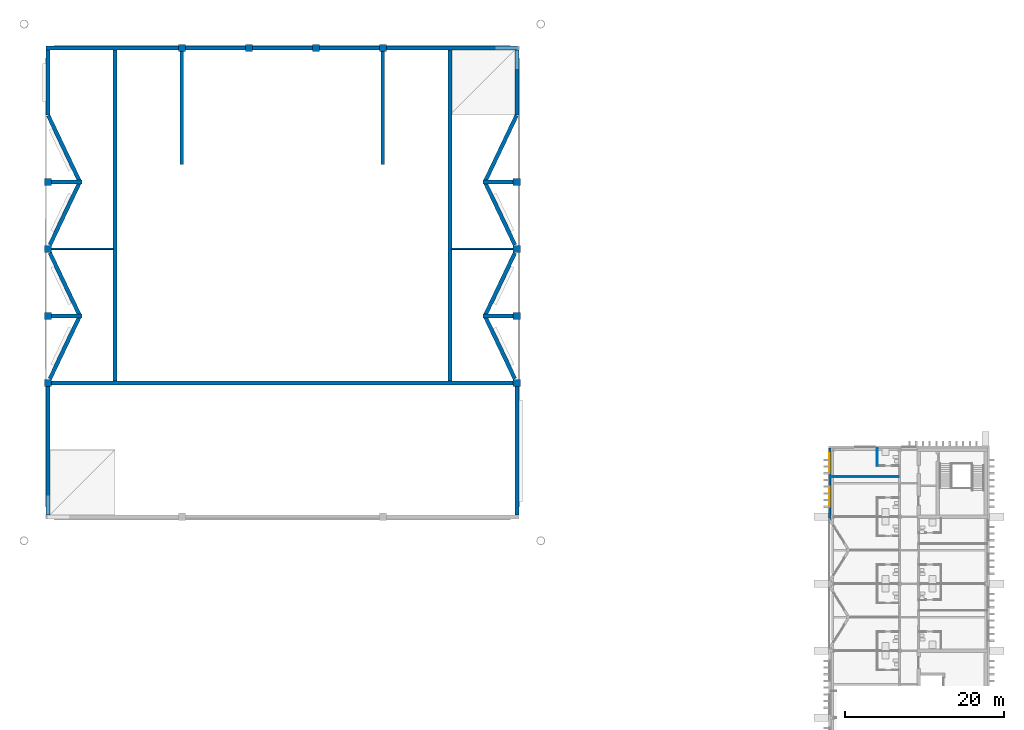
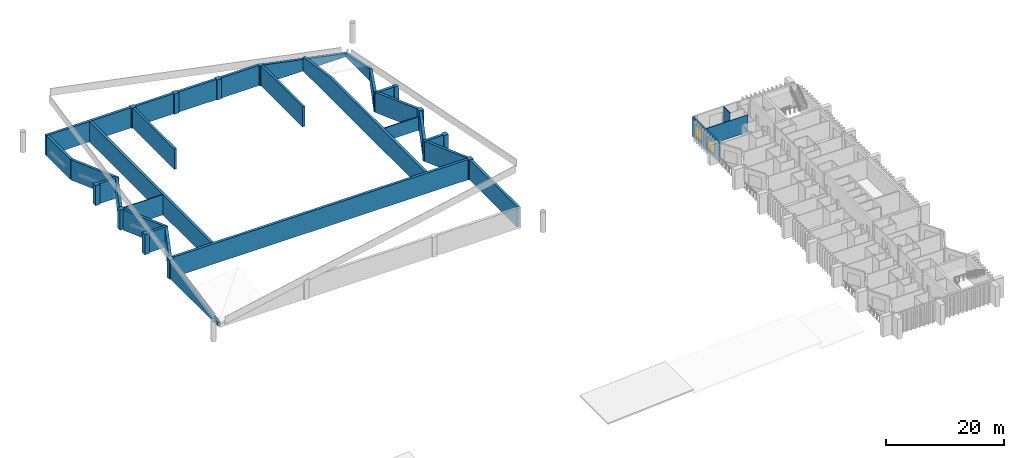
# One storey, part 15 of 21: 43 walls, 2 windows, 2 openings.
"""IFC4 building model written with IfcOpenShell, lengths in metres."""

from ifc_helpers import new_model, si_unit, direction, frame, frame_2d, origin, place, context, subcontext, project, spatial, polyline, rectangle, outline, extrude, material, layer, layer_set, type_object, element, fill, save


model = new_model("IFC4")

# Units and contexts
model_context = context("Model", 3, precision=1e-05, world=origin(), true_north=direction((0.0, 1.0)))
body_context = subcontext(model_context, "Body", "Model", "MODEL_VIEW")
ifc_project = project(units=[si_unit("LENGTHUNIT", "METRE"), si_unit("AREAUNIT", "SQUARE_METRE"), si_unit("VOLUMEUNIT", "CUBIC_METRE"), si_unit("PLANEANGLEUNIT", "RADIAN"), si_unit("MASSUNIT", "GRAM", prefix="KILO")], contexts=[model_context])

# Site, building, storey
site_placement = place(None, origin())
site = spatial("IfcSite", under=ifc_project, at=site_placement, CompositionType="ELEMENT")
building_placement = place(site_placement, origin())
building = spatial("IfcBuilding", under=site, at=building_placement, Name="Cresset Court Congress Hotel", CompositionType="ELEMENT")
storey_placement = place(building_placement, frame((0.0, 0.0, 22.800048828125)))
storey = spatial("IfcBuildingStorey", under=building, at=storey_placement, Name="L05", CompositionType="ELEMENT", Elevation=22.800048828125)

# Wall
ifc_material_1 = material(Name="Gypsum board partition")
ifc_layer_1 = layer(ifc_material_1, 0.10009765625)
ifc_layer_set_1 = layer_set([ifc_layer_1], Name="En-suite wall 100")
wall_type_1 = type_object("IfcWallType", Name="En-suite wall 100", PredefinedType="PARTITIONING", material=ifc_layer_set_1)
wall_1_placement = place(storey_placement, frame((162.800048828125, 65.199951171875, 0.0), z_axis=(0.0, 0.0, 1.0), x_axis=(0.0, 1.0, 0.0)))
element("IfcWall", 1, at=wall_1_placement, inside=storey, type_object=wall_type_1, Name="A.wl.L05.031", PredefinedType="PARTITIONING", context=body_context, shape_type="SweptSolid", body=[
    extrude(rectangle(XDim=2.219970703125, YDim=0.10009765625, at=frame_2d((1.10986328125, 0.0))), origin(), (0.0, 0.0, 1.0), 4.050048828125),
])

# Wall, openings, windows
ifc_material_2 = material(Name="Precast concrete C50", Category="concrete")
ifc_layer_2 = layer(ifc_material_2, 0.280029296875)
ifc_layer_set_2 = layer_set([ifc_layer_2], Name="External wall 280")
wall_type_2 = type_object("IfcWallType", Name="External wall 280", PredefinedType="SOLIDWALL", material=ifc_layer_set_2)
wall_2_placement = place(storey_placement, frame((156.840087890625, 58.449951171875, 0.0), z_axis=(0.0, 0.0, 1.0), x_axis=(0.0, 1.0, 0.0)))
wall_2 = element("IfcWall", 2, at=wall_2_placement, inside=storey, type_object=wall_type_2, Name="A.ew.L05.W.5", PredefinedType="SOLIDWALL", context=body_context, shape_type="SweptSolid", body=[
    extrude(rectangle(XDim=8.969970703125, YDim=0.280029296875, at=frame_2d((4.48486328125, 0.0))), origin(), (0.0, 0.0, 1.0), 4.050048828125),
])
opening_1_placement = place(wall_2_placement, frame((1.610107421875, 0.0, 0.60009765625)))
opening_1 = element("IfcOpeningElement", 3, at=opening_1_placement, cuts=wall_2, Name="Opening NA-05-15", PredefinedType="OPENING", context=body_context, shape_type="SweptSolid", body=[
    extrude(rectangle(XDim=2.52001953125, YDim=2.39990234375, at=frame_2d((1.260009765625, 1.199951171875))), frame((0.0, 0.14990234375, 0.0), z_axis=(0.0, -1.0, 0.0), x_axis=(1.0, 0.0, 0.0)), (0.0, 0.0, 1.0), 0.300048828125),
])
opening_2_placement = place(wall_2_placement, frame((5.81005859375, 0.0, 0.60009765625)))
opening_2 = element("IfcOpeningElement", 4, at=opening_2_placement, cuts=wall_2, Name="Opening NA-05-16", PredefinedType="OPENING", context=body_context, shape_type="SweptSolid", body=[
    extrude(rectangle(XDim=2.52001953125, YDim=2.39990234375, at=frame_2d((1.260009765625, 1.199951171875))), frame((0.0, 0.14990234375, 0.0), z_axis=(0.0, -1.0, 0.0), x_axis=(1.0, 0.0, 0.0)), (0.0, 0.0, 1.0), 0.300048828125),
])
ifc_material_3 = material(Name="Aluminium and glass", Category="aluminium")
window_type = type_object("IfcWindowType", Name="Window 2520x2400", PartitioningType="SINGLE_PANEL", PredefinedType="WINDOW", material=ifc_material_3)
window_1_placement = place(opening_1_placement, origin())
window_1 = element("IfcWindow", 5, at=window_1_placement, inside=storey, type_object=window_type, Name="Window NA-05-15", OverallHeight=2.39990234375, OverallWidth=2.52001953125, PartitioningType="SINGLE_PANEL", PredefinedType="WINDOW", context=body_context, shape_type="SweptSolid", body=[
    extrude(rectangle(XDim=2.52001953125, YDim=2.39990234375, at=frame_2d((1.260009765625, 1.199951171875))), frame((0.0, 0.030029296875, 0.0), z_axis=(0.0, -1.0, 0.0), x_axis=(1.0, 0.0, 0.0)), (0.0, 0.0, 1.0), 0.06005859375),
])
fill(opening_1, window_1)
window_2_placement = place(opening_2_placement, origin())
window_2 = element("IfcWindow", 6, at=window_2_placement, inside=storey, type_object=window_type, Name="Window NA-05-16", OverallHeight=2.39990234375, OverallWidth=2.52001953125, PartitioningType="SINGLE_PANEL", PredefinedType="WINDOW", context=body_context, shape_type="SweptSolid", body=[
    extrude(rectangle(XDim=2.52001953125, YDim=2.39990234375, at=frame_2d((1.260009765625, 1.199951171875))), frame((0.0, 0.030029296875, 0.0), z_axis=(0.0, -1.0, 0.0), x_axis=(1.0, 0.0, 0.0)), (0.0, 0.0, 1.0), 0.06005859375),
])
fill(opening_2, window_2)

# Walls
ifc_material_4 = material(Name="Concrete C50", Category="concrete")
ifc_layer_3 = layer(ifc_material_4, 0.449951171875)
ifc_layer_set_3 = layer_set([ifc_layer_3], Name="Fly-tower wall 450")
wall_type_3 = type_object("IfcWallType", Name="Fly-tower wall 450", PredefinedType="SOLIDWALL", material=ifc_layer_set_3)
for number, where, z_axis, x_axis, name in (
    (7, (75.60009765625, 103.0, 0.0), (0.0, 0.0, 1.0), (0.0, 1.0, 0.0), "Wall CS-1L05"),
    (8, (100.800048828125, 103.0, 0.0), (0.0, 0.0, 1.0), (0.0, 1.0, 0.0), "Wall CS-2L05"),
):
    element("IfcWall", number, at=place(storey_placement, frame(where, z_axis=z_axis, x_axis=x_axis)), inside=storey, type_object=wall_type_3, Name=name, PredefinedType="SOLIDWALL", context=body_context, shape_type="SweptSolid", body=[
        extrude(rectangle(XDim=14.14990234375, YDim=0.449951171875, at=frame_2d((7.074951171875, 0.0))), origin(), (0.0, 0.0, 1.0), 4.199951171875),
    ])
ifc_material_5 = material(Name="Concrete C35", Category="concrete")
ifc_layer_4 = layer(ifc_material_5, 0.199951171875)
ifc_layer_set_4 = layer_set([ifc_layer_4], Name="Gallery cross wall 200")
wall_type_4 = type_object("IfcWallType", Name="Gallery cross wall 200", PredefinedType="PARTITIONING", material=ifc_layer_set_4)
wall_3_placement = place(storey_placement, frame((59.25, 92.39990234375, 0.0), z_axis=(0.0, 0.0, 1.0), x_axis=(1.0, 0.0, 0.0)))
element("IfcWall", 9, at=wall_3_placement, inside=storey, type_object=wall_type_4, Name="Wall CP-galWL05", PredefinedType="PARTITIONING", context=body_context, shape_type="SweptSolid", body=[
    extrude(rectangle(XDim=7.75, YDim=0.199951171875, at=frame_2d((3.875, 0.0))), origin(), (0.0, 0.0, 1.0), 4.199951171875),
])
wall_4_placement = place(storey_placement, frame((109.39990234375, 92.39990234375, 0.0), z_axis=(0.0, 0.0, 1.0), x_axis=(1.0, 0.0, 0.0)))
element("IfcWall", 10, at=wall_4_placement, inside=storey, type_object=wall_type_4, Name="Wall CP-galEL05", PredefinedType="PARTITIONING", context=body_context, shape_type="SweptSolid", body=[
    extrude(rectangle(XDim=7.75, YDim=0.199951171875, at=frame_2d((3.875, 0.0))), origin(), (0.0, 0.0, 1.0), 2.765869140625),
])
ifc_material_6 = material(Name="Gypsum board partition")
ifc_layer_5 = layer(ifc_material_6, 0.10009765625)
ifc_layer_set_5 = layer_set([ifc_layer_5], Name="Guest-room partition 100")
wall_type_5 = type_object("IfcWallType", Name="Guest-room partition 100", PredefinedType="PARTITIONING", material=ifc_layer_set_5)
wall_5_placement = place(storey_placement, frame((156.97998046875, 63.840087890625, 0.0), z_axis=(0.0, 0.0, 1.0), x_axis=(1.0, 0.0, 0.0)))
element("IfcWall", 11, at=wall_5_placement, inside=storey, type_object=wall_type_5, Name="A.wl.L05.065", PredefinedType="PARTITIONING", context=body_context, shape_type="SweptSolid", body=[
    extrude(rectangle(XDim=8.52001953125, YDim=0.10009765625, at=frame_2d((4.260009765625, 0.0))), origin(), (0.0, 0.0, 1.0), 3.60400390625),
])
ifc_material_7 = material(Name="Concrete C50", Category="concrete")
ifc_layer_6 = layer(ifc_material_7, 0.5)
ifc_layer_set_6 = layer_set([ifc_layer_6], Name="Hall inner wall 500")
wall_type_6 = type_object("IfcWallType", Name="Hall inner wall 500", PredefinedType="SOLIDWALL", material=ifc_layer_set_6)
wall_6_placement = place(storey_placement, frame((59.25, 75.60009765625, 0.0), z_axis=(0.0, 0.0, 1.0), x_axis=(1.0, 0.0, 0.0)))
element("IfcWall", 12, at=wall_6_placement, inside=storey, type_object=wall_type_6, Name="Wall CI-RL05", PredefinedType="SOLIDWALL", context=body_context, shape_type="SweptSolid", body=[
    extrude(rectangle(XDim=57.89990234375, YDim=0.5, at=frame_2d((28.949951171875, 0.0))), origin(), (0.0, 0.0, 1.0), 4.199951171875),
])
wall_7_placement = place(storey_placement, frame((67.199951171875, 75.85009765625, 0.0), z_axis=(0.0, 0.0, 1.0), x_axis=(0.0, 1.0, 0.0)))
element("IfcWall", 13, at=wall_7_placement, inside=storey, type_object=wall_type_6, Name="Wall CI-WL05", PredefinedType="SOLIDWALL", context=body_context, shape_type="SweptSolid", body=[
    extrude(rectangle(XDim=41.5, YDim=0.5, at=frame_2d((20.75, 0.0))), origin(), (0.0, 0.0, 1.0), 4.199951171875),
])
wall_8_placement = place(storey_placement, frame((109.199951171875, 117.35009765625, 0.0), z_axis=(0.0, 0.0, 1.0), x_axis=(0.0, -1.0, 0.0)))
element("IfcWall", 14, at=wall_8_placement, inside=storey, type_object=wall_type_6, Name="Wall CI-EL05", PredefinedType="SOLIDWALL", context=body_context, shape_type="SweptSolid", body=[
    extrude(outline(polyline([(0.0, 0.0), (41.5, 0.0), (41.5, 4.199951171875), (9.128173828125, 4.199951171875), (0.0, 2.8916015625), (0.0, 0.0)])), frame((0.0, 0.25, 0.0), z_axis=(0.0, -1.0, 0.0), x_axis=(1.0, 0.0, 0.0)), (0.0, 0.0, 1.0), 0.5),
])
ifc_material_8 = material(Name="Limestone-faced precast concrete C50", Category="masonry")
ifc_layer_7 = layer(ifc_material_8, 0.5)
ifc_layer_set_7 = layer_set([ifc_layer_7], Name="Hall perimeter wall 500")
wall_type_7 = type_object("IfcWallType", Name="Hall perimeter wall 500", PredefinedType="SOLIDWALL", material=ifc_layer_set_7)
wall_9_placement = place(storey_placement, frame((117.60009765625, 75.14990234375, 0.0), z_axis=(0.0, 0.0, 1.0), x_axis=(0.0, -1.0, 0.0)))
element("IfcWall", 15, at=wall_9_placement, inside=storey, type_object=wall_type_7, Name="Wall CW-EL05-1", PredefinedType="SOLIDWALL", context=body_context, shape_type="SweptSolid", body=[
    extrude(rectangle(XDim=16.099853515625, YDim=0.5, at=frame_2d((8.0498046875, 0.0))), origin(), (0.0, 0.0, 1.0), 4.199951171875),
])
for number, where, z_axis, x_axis, name in (
    (16, (113.66552734375, 83.862548828125, 0.0), (0.0, 0.0, 1.0), (0.429922557701, -0.902865767642, 0.0), "Wall CW-EL05-2"),
    (17, (117.36181640625, 91.89990234375, 0.0), (0.0, 0.0, 1.0), (-0.429922557701, -0.902865767642, 0.0), "Wall CW-EL05-3"),
):
    element("IfcWall", number, at=place(storey_placement, frame(where, z_axis=z_axis, x_axis=x_axis)), inside=storey, type_object=wall_type_7, Name=name, PredefinedType="SOLIDWALL", context=body_context, shape_type="SweptSolid", body=[
        extrude(rectangle(XDim=8.59765625, YDim=0.5, at=frame_2d((4.298828125, 0.0))), origin(), (0.0, 0.0, 1.0), 4.199951171875),
    ])
wall_10_placement = place(storey_placement, frame((113.66552734375, 100.66259765625, 0.0), z_axis=(0.0, 0.0, 1.0), x_axis=(0.429911535511, -0.902871016057, 0.0)))
element("IfcWall", 18, at=wall_10_placement, inside=storey, type_object=wall_type_7, Name="Wall CW-EL05-4", PredefinedType="SOLIDWALL", context=body_context, shape_type="SweptSolid", body=[
    extrude(outline(polyline([(0.0, 0.0), (8.597900390625, 0.0), (8.59765625, 4.199951171875), (0.73095703125, 4.199951171875), (0.0, 4.067626953125), (0.0, 0.0)])), frame((0.0, 0.25, 0.0), z_axis=(0.0, -1.0, 0.0), x_axis=(1.0, 0.0, 0.0)), (0.0, 0.0, 1.0), 0.5),
])
wall_11_placement = place(storey_placement, frame((117.576171875, 109.14990234375, 0.0), z_axis=(0.0, 0.0, 1.0), x_axis=(-0.429931496654, -0.902861511077, 0.0)))
element("IfcWall", 19, at=wall_11_placement, inside=storey, type_object=wall_type_7, Name="Wall CW-EL05-5.1", PredefinedType="SOLIDWALL", context=body_context, shape_type="SweptSolid", body=[
    extrude(outline(polyline([(0.0, 0.0), (9.095947265625, 0.0), (9.09619140625, 4.01220703125), (0.0, 2.3642578125), (0.0, 0.0)])), frame((0.0, 0.25, 0.0), z_axis=(0.0, -1.0, 0.0), x_axis=(1.0, 0.0, 0.0)), (0.0, 0.0, 1.0), 0.5),
])
wall_12_placement = place(storey_placement, frame((117.60009765625, 117.35009765625, 0.0), z_axis=(0.0, 0.0, 1.0), x_axis=(0.0, -1.0, 0.0)))
element("IfcWall", 20, at=wall_12_placement, inside=storey, type_object=wall_type_7, Name="Wall CW-EL05-5.2", PredefinedType="SOLIDWALL", context=body_context, shape_type="SweptSolid", body=[
    extrude(outline(polyline([(0.0, 0.0), (8.150146484375, 0.0), (8.14990234375, 2.354248046875), (0.0, 0.71875), (0.0, 0.0)])), frame((0.0, 0.25, 0.0), z_axis=(0.0, -1.0, 0.0), x_axis=(1.0, 0.0, 0.0)), (0.0, 0.0, 1.0), 0.5),
])
wall_13_placement = place(storey_placement, frame((113.35009765625, 84.0, 0.0), z_axis=(0.0, 0.0, 1.0), x_axis=(1.0, 0.0, 0.0)))
element("IfcWall", 21, at=wall_13_placement, inside=storey, type_object=wall_type_7, Name="Wall CW-EL05-R1", PredefinedType="SOLIDWALL", context=body_context, shape_type="SweptSolid", body=[
    extrude(rectangle(XDim=3.7998046875, YDim=0.5, at=frame_2d((1.89990234375, 0.0))), origin(), (0.0, 0.0, 1.0), 4.199951171875),
])
wall_14_placement = place(storey_placement, frame((113.35009765625, 100.800048828125, 0.0), z_axis=(0.0, 0.0, 1.0), x_axis=(1.0, 0.0, 0.0)))
element("IfcWall", 22, at=wall_14_placement, inside=storey, type_object=wall_type_7, Name="Wall CW-EL05-R2", PredefinedType="SOLIDWALL", context=body_context, shape_type="SweptSolid", body=[
    extrude(rectangle(XDim=3.7998046875, YDim=0.5, at=frame_2d((1.89990234375, 0.0))), origin(), (0.0, 0.0, 1.0), 3.98974609375),
])
wall_15_placement = place(storey_placement, frame((101.25, 117.60009765625, 0.0), z_axis=(0.0, 0.0, 1.0), x_axis=(1.0, 0.0, 0.0)))
element("IfcWall", 23, at=wall_15_placement, inside=storey, type_object=wall_type_7, Name="Wall CW-NL05-1", PredefinedType="SOLIDWALL", context=body_context, shape_type="SweptSolid", body=[
    extrude(outline(polyline([(0.0, 0.0), (16.60009765625, 0.0), (16.60009765625, 0.618408203125), (0.0, 3.94970703125), (0.0, 0.0)])), frame((0.0, 0.25, 0.0), z_axis=(0.0, -1.0, 0.0), x_axis=(1.0, 0.0, 0.0)), (0.0, 0.0, 1.0), 0.5),
])
wall_16_placement = place(storey_placement, frame((92.85009765625, 117.60009765625, 0.0), z_axis=(0.0, 0.0, 1.0), x_axis=(1.0, 0.0, 0.0)))
element("IfcWall", 24, at=wall_16_placement, inside=storey, type_object=wall_type_7, Name="Wall CW-NL05-2", PredefinedType="SOLIDWALL", context=body_context, shape_type="SweptSolid", body=[
    extrude(outline(polyline([(0.0, 0.0), (7.5, 0.0), (7.5, 4.130126953125), (7.152587890625, 4.199951171875), (0.0, 4.199951171875), (0.0, 0.0)])), frame((0.0, 0.25, 0.0), z_axis=(0.0, -1.0, 0.0), x_axis=(1.0, 0.0, 0.0)), (0.0, 0.0, 1.0), 0.5),
])
for number, where, z_axis, x_axis, name in (
    (25, (84.449951171875, 117.60009765625, 0.0), (0.0, 0.0, 1.0), (1.0, 0.0, 0.0), "Wall CW-NL05-3"),
    (26, (76.050048828125, 117.60009765625, 0.0), (0.0, 0.0, 1.0), (1.0, 0.0, 0.0), "Wall CW-NL05-4"),
):
    element("IfcWall", number, at=place(storey_placement, frame(where, z_axis=z_axis, x_axis=x_axis)), inside=storey, type_object=wall_type_7, Name=name, PredefinedType="SOLIDWALL", context=body_context, shape_type="SweptSolid", body=[
        extrude(rectangle(XDim=7.5, YDim=0.5, at=frame_2d((3.75, 0.0))), origin(), (0.0, 0.0, 1.0), 4.199951171875),
    ])
wall_17_placement = place(storey_placement, frame((58.550048828125, 117.60009765625, 0.0), z_axis=(0.0, 0.0, 1.0), x_axis=(1.0, 0.0, 0.0)))
element("IfcWall", 27, at=wall_17_placement, inside=storey, type_object=wall_type_7, Name="Wall CW-NL05-5", PredefinedType="SOLIDWALL", context=body_context, shape_type="SweptSolid", body=[
    extrude(rectangle(XDim=16.599853515625, YDim=0.5, at=frame_2d((8.2998046875, 0.0))), origin(), (0.0, 0.0, 1.0), 4.199951171875),
])
wall_18_placement = place(storey_placement, frame((58.800048828125, 109.199951171875, 0.0), z_axis=(0.0, 0.0, 1.0), x_axis=(0.0, 1.0, 0.0)))
element("IfcWall", 28, at=wall_18_placement, inside=storey, type_object=wall_type_7, Name="Wall CW-WL05-1.1", PredefinedType="SOLIDWALL", context=body_context, shape_type="SweptSolid", body=[
    extrude(rectangle(XDim=8.150146484375, YDim=0.5, at=frame_2d((4.0751953125, 0.0))), origin(), (0.0, 0.0, 1.0), 4.199951171875),
])
wall_19_placement = place(storey_placement, frame((62.734619140625, 100.9375, 0.0), z_axis=(0.0, 0.0, 1.0), x_axis=(-0.429953375566, 0.902851092284, 0.0)))
element("IfcWall", 29, at=wall_19_placement, inside=storey, type_object=wall_type_7, Name="Wall CW-WL05-1.2", PredefinedType="SOLIDWALL", context=body_context, shape_type="SweptSolid", body=[
    extrude(rectangle(XDim=9.09619140625, YDim=0.5, at=frame_2d((4.548095703125, 0.0))), origin(), (0.0, 0.0, 1.0), 4.199951171875),
])
wall_20_placement = place(storey_placement, frame((59.0380859375, 92.89990234375, 0.0), z_axis=(0.0, 0.0, 1.0), x_axis=(0.429934682616, 0.902859993955, 0.0)))
element("IfcWall", 30, at=wall_20_placement, inside=storey, type_object=wall_type_7, Name="Wall CW-WL05-2", PredefinedType="SOLIDWALL", context=body_context, shape_type="SweptSolid", body=[
    extrude(rectangle(XDim=8.597900390625, YDim=0.5, at=frame_2d((4.298828125, 0.0))), origin(), (0.0, 0.0, 1.0), 4.199951171875),
])
wall_21_placement = place(storey_placement, frame((62.734619140625, 84.137451171875, 0.0), z_axis=(0.0, 0.0, 1.0), x_axis=(-0.429945705131, 0.902854745039, 0.0)))
element("IfcWall", 31, at=wall_21_placement, inside=storey, type_object=wall_type_7, Name="Wall CW-WL05-3", PredefinedType="SOLIDWALL", context=body_context, shape_type="SweptSolid", body=[
    extrude(rectangle(XDim=8.59765625, YDim=0.5, at=frame_2d((4.298828125, 0.0))), origin(), (0.0, 0.0, 1.0), 4.199951171875),
])
wall_22_placement = place(storey_placement, frame((59.0380859375, 76.10009765625, 0.0), z_axis=(0.0, 0.0, 1.0), x_axis=(0.429945705131, 0.902854745039, 0.0)))
element("IfcWall", 32, at=wall_22_placement, inside=storey, type_object=wall_type_7, Name="Wall CW-WL05-4", PredefinedType="SOLIDWALL", context=body_context, shape_type="SweptSolid", body=[
    extrude(outline(polyline([(0.0, 0.0), (8.59765625, 0.0), (8.59765625, 4.199951171875), (0.329345703125, 4.199951171875), (0.0, 4.14013671875), (0.0, 0.0)])), frame((0.0, 0.25, 0.0), z_axis=(0.0, -1.0, 0.0), x_axis=(1.0, 0.0, 0.0)), (0.0, 0.0, 1.0), 0.5),
])
wall_23_placement = place(storey_placement, frame((58.800048828125, 59.050048828125, 0.0), z_axis=(0.0, 0.0, 1.0), x_axis=(0.0, 1.0, 0.0)))
element("IfcWall", 33, at=wall_23_placement, inside=storey, type_object=wall_type_7, Name="Wall CW-WL05-5", PredefinedType="SOLIDWALL", context=body_context, shape_type="SweptSolid", body=[
    extrude(outline(polyline([(0.0, 0.0), (16.099853515625, 0.0), (16.10009765625, 3.94970703125), (0.0, 0.71875), (0.0, 0.0)])), frame((0.0, 0.25, 0.0), z_axis=(0.0, -1.0, 0.0), x_axis=(1.0, 0.0, 0.0)), (0.0, 0.0, 1.0), 0.5),
])
for number, where, z_axis, x_axis, name in (
    (34, (63.050048828125, 100.800048828125, 0.0), (0.0, 0.0, 1.0), (-1.0, 0.0, 0.0), "Wall CW-WL05-R1"),
    (35, (63.050048828125, 84.0, 0.0), (0.0, 0.0, 1.0), (-1.0, 0.0, 0.0), "Wall CW-WL05-R2"),
):
    element("IfcWall", number, at=place(storey_placement, frame(where, z_axis=z_axis, x_axis=x_axis)), inside=storey, type_object=wall_type_7, Name=name, PredefinedType="SOLIDWALL", context=body_context, shape_type="SweptSolid", body=[
        extrude(rectangle(XDim=3.800048828125, YDim=0.5, at=frame_2d((1.89990234375, 0.0))), origin(), (0.0, 0.0, 1.0), 4.199951171875),
    ])
ifc_material_9 = material(Name="Concrete C50", Category="concrete")
ifc_layer_8 = layer(ifc_material_9, 0.89990234375)
ifc_layer_set_8 = layer_set([ifc_layer_8], Name="Hall pilaster 900x900")
wall_type_8 = type_object("IfcWallType", Name="Hall pilaster 900x900", PredefinedType="SOLIDWALL", material=ifc_layer_set_8)
wall_24_placement = place(storey_placement, frame((117.60009765625, 75.14990234375, 0.0), z_axis=(0.0, 0.0, 1.0), x_axis=(0.0, 1.0, 0.0)))
element("IfcWall", 36, at=wall_24_placement, inside=storey, type_object=wall_type_8, Name="Pilaster P-E1", PredefinedType="SOLIDWALL", context=body_context, shape_type="SweptSolid", body=[
    extrude(rectangle(XDim=0.900146484375, YDim=0.89990234375, at=frame_2d((0.4501953125, 0.0))), origin(), (0.0, 0.0, 1.0), 4.199951171875),
])
wall_25_placement = place(storey_placement, frame((117.60009765625, 83.550048828125, 0.0), z_axis=(0.0, 0.0, 1.0), x_axis=(0.0, 1.0, 0.0)))
element("IfcWall", 37, at=wall_25_placement, inside=storey, type_object=wall_type_8, Name="Pilaster P-E2", PredefinedType="SOLIDWALL", context=body_context, shape_type="SweptSolid", body=[
    extrude(rectangle(XDim=0.89990234375, YDim=0.89990234375, at=frame_2d((0.449951171875, 0.0))), origin(), (0.0, 0.0, 1.0), 4.199951171875),
])
wall_26_placement = place(storey_placement, frame((117.60009765625, 91.949951171875, 0.0), z_axis=(0.0, 0.0, 1.0), x_axis=(0.0, 1.0, 0.0)))
element("IfcWall", 38, at=wall_26_placement, inside=storey, type_object=wall_type_8, Name="Pilaster P-E3", PredefinedType="SOLIDWALL", context=body_context, shape_type="SweptSolid", body=[
    extrude(rectangle(XDim=0.900146484375, YDim=0.89990234375, at=frame_2d((0.4501953125, 0.0))), origin(), (0.0, 0.0, 1.0), 4.199951171875),
])
wall_27_placement = place(storey_placement, frame((117.60009765625, 100.35009765625, 0.0), z_axis=(0.0, 0.0, 1.0), x_axis=(0.0, 1.0, 0.0)))
element("IfcWall", 39, at=wall_27_placement, inside=storey, type_object=wall_type_8, Name="Pilaster P-E4", PredefinedType="SOLIDWALL", context=body_context, shape_type="SweptSolid", body=[
    extrude(outline(polyline([(0.0, 0.0), (0.89990234375, 0.0), (0.89990234375, 3.94970703125), (0.0, 4.130126953125), (0.0, 0.0)])), frame((0.0, 0.449951171875, 0.0), z_axis=(0.0, -1.0, 0.0), x_axis=(1.0, 0.0, 0.0)), (0.0, 0.0, 1.0), 0.89990234375),
])
wall_28_placement = place(storey_placement, frame((101.25, 117.60009765625, 0.0), z_axis=(0.0, 0.0, 1.0), x_axis=(-1.0, 0.0, 0.0)))
element("IfcWall", 40, at=wall_28_placement, inside=storey, type_object=wall_type_8, Name="Pilaster P-N1", PredefinedType="SOLIDWALL", context=body_context, shape_type="SweptSolid", body=[
    extrude(outline(polyline([(0.0, 0.0), (0.89990234375, 0.0), (0.89990234375, 4.130126953125), (0.0, 3.94970703125), (0.0, 0.0)])), frame((0.0, 0.449951171875, 0.0), z_axis=(0.0, -1.0, 0.0), x_axis=(1.0, 0.0, 0.0)), (0.0, 0.0, 1.0), 0.89990234375),
])
wall_29_placement = place(storey_placement, frame((92.85009765625, 117.60009765625, 0.0), z_axis=(0.0, 0.0, 1.0), x_axis=(-1.0, 0.0, 0.0)))
element("IfcWall", 41, at=wall_29_placement, inside=storey, type_object=wall_type_8, Name="Pilaster P-N2", PredefinedType="SOLIDWALL", context=body_context, shape_type="SweptSolid", body=[
    extrude(rectangle(XDim=0.900146484375, YDim=0.89990234375, at=frame_2d((0.4501953125, 0.0))), origin(), (0.0, 0.0, 1.0), 4.199951171875),
])
wall_30_placement = place(storey_placement, frame((84.449951171875, 117.60009765625, 0.0), z_axis=(0.0, 0.0, 1.0), x_axis=(-1.0, 0.0, 0.0)))
element("IfcWall", 42, at=wall_30_placement, inside=storey, type_object=wall_type_8, Name="Pilaster P-N3", PredefinedType="SOLIDWALL", context=body_context, shape_type="SweptSolid", body=[
    extrude(rectangle(XDim=0.89990234375, YDim=0.89990234375, at=frame_2d((0.449951171875, 0.0))), origin(), (0.0, 0.0, 1.0), 4.199951171875),
])
wall_31_placement = place(storey_placement, frame((76.050048828125, 117.60009765625, 0.0), z_axis=(0.0, 0.0, 1.0), x_axis=(-1.0, 0.0, 0.0)))
element("IfcWall", 43, at=wall_31_placement, inside=storey, type_object=wall_type_8, Name="Pilaster P-N4", PredefinedType="SOLIDWALL", context=body_context, shape_type="SweptSolid", body=[
    extrude(rectangle(XDim=0.900146484375, YDim=0.89990234375, at=frame_2d((0.4501953125, 0.0))), origin(), (0.0, 0.0, 1.0), 4.199951171875),
])
wall_32_placement = place(storey_placement, frame((58.800048828125, 101.25, 0.0), z_axis=(0.0, 0.0, 1.0), x_axis=(0.0, -1.0, 0.0)))
element("IfcWall", 44, at=wall_32_placement, inside=storey, type_object=wall_type_8, Name="Pilaster P-W1", PredefinedType="SOLIDWALL", context=body_context, shape_type="SweptSolid", body=[
    extrude(rectangle(XDim=0.89990234375, YDim=0.89990234375, at=frame_2d((0.449951171875, 0.0))), origin(), (0.0, 0.0, 1.0), 4.199951171875),
])
wall_33_placement = place(storey_placement, frame((58.800048828125, 92.85009765625, 0.0), z_axis=(0.0, 0.0, 1.0), x_axis=(0.0, -1.0, 0.0)))
element("IfcWall", 45, at=wall_33_placement, inside=storey, type_object=wall_type_8, Name="Pilaster P-W2", PredefinedType="SOLIDWALL", context=body_context, shape_type="SweptSolid", body=[
    extrude(rectangle(XDim=0.900146484375, YDim=0.89990234375, at=frame_2d((0.4501953125, 0.0))), origin(), (0.0, 0.0, 1.0), 4.199951171875),
])
wall_34_placement = place(storey_placement, frame((58.800048828125, 84.449951171875, 0.0), z_axis=(0.0, 0.0, 1.0), x_axis=(0.0, -1.0, 0.0)))
element("IfcWall", 46, at=wall_34_placement, inside=storey, type_object=wall_type_8, Name="Pilaster P-W3", PredefinedType="SOLIDWALL", context=body_context, shape_type="SweptSolid", body=[
    extrude(rectangle(XDim=0.89990234375, YDim=0.89990234375, at=frame_2d((0.449951171875, 0.0))), origin(), (0.0, 0.0, 1.0), 4.199951171875),
])
wall_35_placement = place(storey_placement, frame((58.800048828125, 76.050048828125, 0.0), z_axis=(0.0, 0.0, 1.0), x_axis=(0.0, -1.0, 0.0)))
element("IfcWall", 47, at=wall_35_placement, inside=storey, type_object=wall_type_8, Name="Pilaster P-W4", PredefinedType="SOLIDWALL", context=body_context, shape_type="SweptSolid", body=[
    extrude(outline(polyline([(0.0, 0.0), (0.900146484375, 0.0), (0.89990234375, 3.94970703125), (0.0, 4.130126953125), (0.0, 0.0)])), frame((0.0, 0.449951171875, 0.0), z_axis=(0.0, -1.0, 0.0), x_axis=(1.0, 0.0, 0.0)), (0.0, 0.0, 1.0), 0.89990234375),
])

save(model, "model.ifc")
